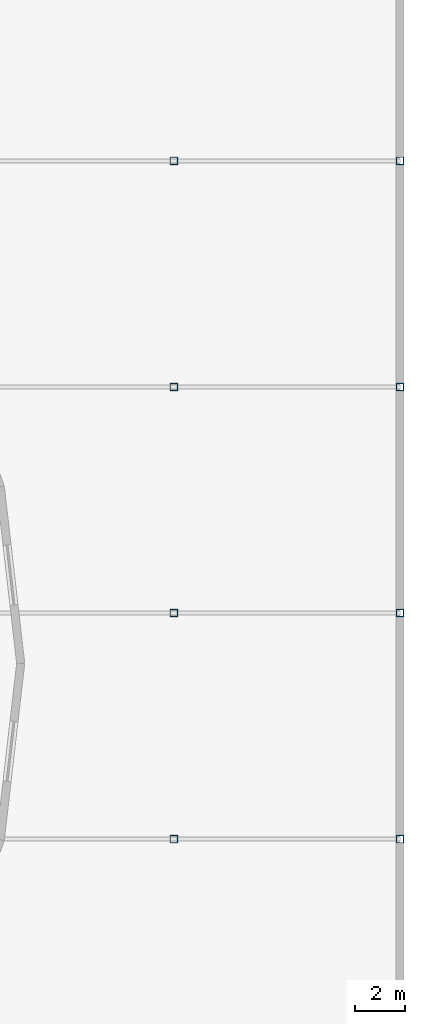
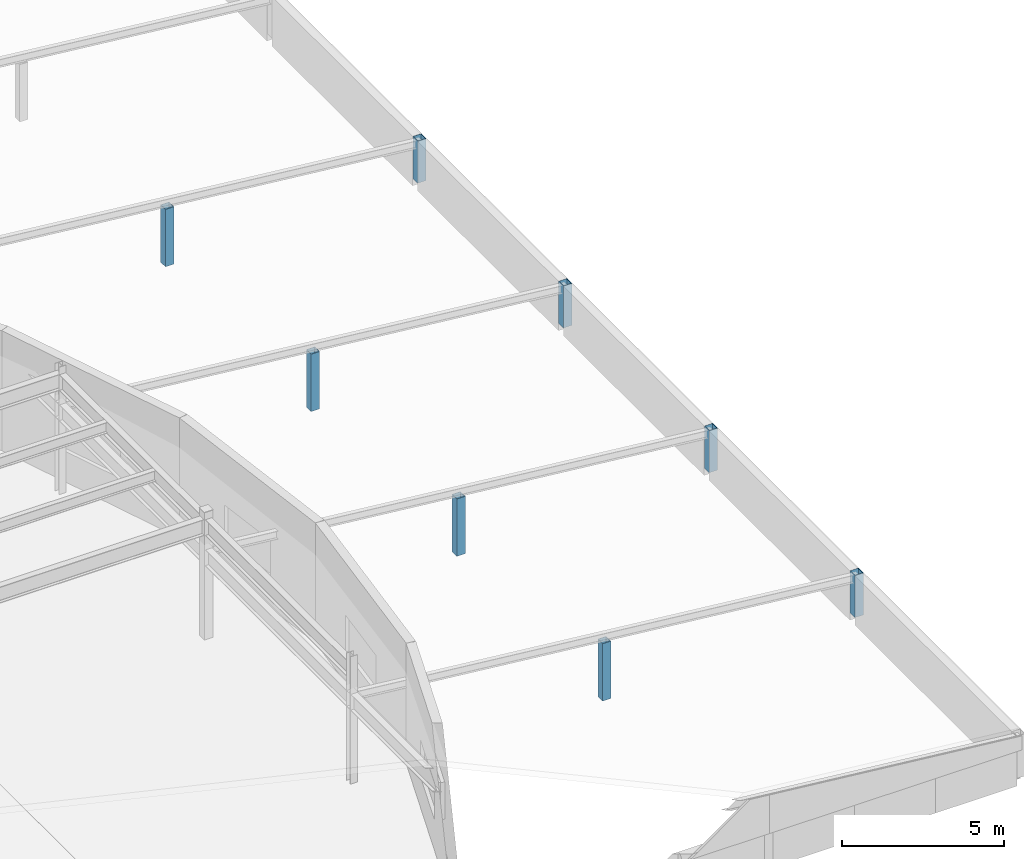
# One storey, part 19 of 84: 8 columns.
"""IFC4 building model written with IfcOpenShell, lengths in metres."""

from ifc_helpers import new_model, si_unit, direction, frame, origin, origin_2d, place, context, subcontext, project, spatial, hollow_rectangle, extrude, material, material_profile, profile_set, type_object, element, save


model = new_model("IFC4")

# Units and contexts
model_context = context("Model", 3, precision=1e-05, world=origin(), true_north=direction((0.0, 1.0)))
body_context = subcontext(model_context, "Body", "Model", "MODEL_VIEW")
ifc_project = project(units=[si_unit("LENGTHUNIT", "METRE"), si_unit("AREAUNIT", "SQUARE_METRE"), si_unit("VOLUMEUNIT", "CUBIC_METRE"), si_unit("PLANEANGLEUNIT", "RADIAN"), si_unit("MASSUNIT", "GRAM", prefix="KILO")], contexts=[model_context])

# Site, building, storey
site_placement = place(None, origin())
site = spatial("IfcSite", under=ifc_project, at=site_placement, CompositionType="ELEMENT")
building_placement = place(site_placement, origin())
building = spatial("IfcBuilding", under=site, at=building_placement, Name="Glasvene Arena", CompositionType="ELEMENT")
storey_placement = place(building_placement, frame((0.0, 0.0, 10.199951171875)))
storey = spatial("IfcBuildingStorey", under=building, at=storey_placement, Name="L02", CompositionType="ELEMENT", Elevation=10.199951171875)

# Columns
ifc_material = material(Name="Steel S355J2", Category="steel")
ifc_material_profile = material_profile(ifc_material, hollow_rectangle(XDim=0.300048828125, YDim=0.300048828125, WallThickness=0.012451171875, at=origin_2d()), Name="SHS 300x300x12.5")
ifc_profile_set = profile_set([ifc_material_profile], Name="Steel S355J2")
column_type = type_object("IfcColumnType", Name="COL-W-SHS300", PredefinedType="COLUMN", material=ifc_profile_set)
for number, where, z_axis, x_axis, name in (
    (1, (174.0, 64.0, 0.0), (0.0, 0.0, 1.0), (1.0, 0.0, 0.0), "Wing roof eave post V5-E-7"),
    (2, (174.0, 73.0, 0.0), (0.0, 0.0, 1.0), (1.0, 0.0, 0.0), "Wing roof eave post V5-E-8"),
    (3, (174.0, 82.0, 0.0), (0.0, 0.0, 1.0), (1.0, 0.0, 0.0), "Wing roof eave post V5-E-9"),
    (4, (174.0, 91.0, 0.0), (0.0, 0.0, 1.0), (1.0, 0.0, 0.0), "Wing roof eave post V5-E-10"),
):
    element("IfcColumn", number, at=place(storey_placement, frame(where, z_axis=z_axis, x_axis=x_axis)), inside=storey, type_object=column_type, Name=name, PredefinedType="COLUMN", context=body_context, shape_type="SweptSolid", body=[
        extrude(hollow_rectangle(XDim=0.300048828125, YDim=0.300048828125, WallThickness=0.012451171875, at=origin_2d()), origin(), (0.0, 0.0, 1.0), 1.590087890625),
    ])
for number, where, z_axis, x_axis, name in (
    (5, (165.0, 64.0, 0.0), (0.0, 0.0, 1.0), (1.0, 0.0, 0.0), "Wing roof rafter post V5-GY64-18"),
    (6, (165.0, 73.0, 0.0), (0.0, 0.0, 1.0), (1.0, 0.0, 0.0), "Wing roof rafter post V5-GY73-18"),
    (7, (165.0, 82.0, 0.0), (0.0, 0.0, 1.0), (1.0, 0.0, 0.0), "Wing roof rafter post V5-GY82-18"),
    (8, (165.0, 91.0, 0.0), (0.0, 0.0, 1.0), (1.0, 0.0, 0.0), "Wing roof rafter post V5-GY91-18"),
):
    element("IfcColumn", number, at=place(storey_placement, frame(where, z_axis=z_axis, x_axis=x_axis)), inside=storey, type_object=column_type, Name=name, PredefinedType="COLUMN", context=body_context, shape_type="SweptSolid", body=[
        extrude(hollow_rectangle(XDim=0.300048828125, YDim=0.300048828125, WallThickness=0.012451171875, at=origin_2d()), origin(), (0.0, 0.0, 1.0), 2.163330078125),
    ])

save(model, "model.ifc")
